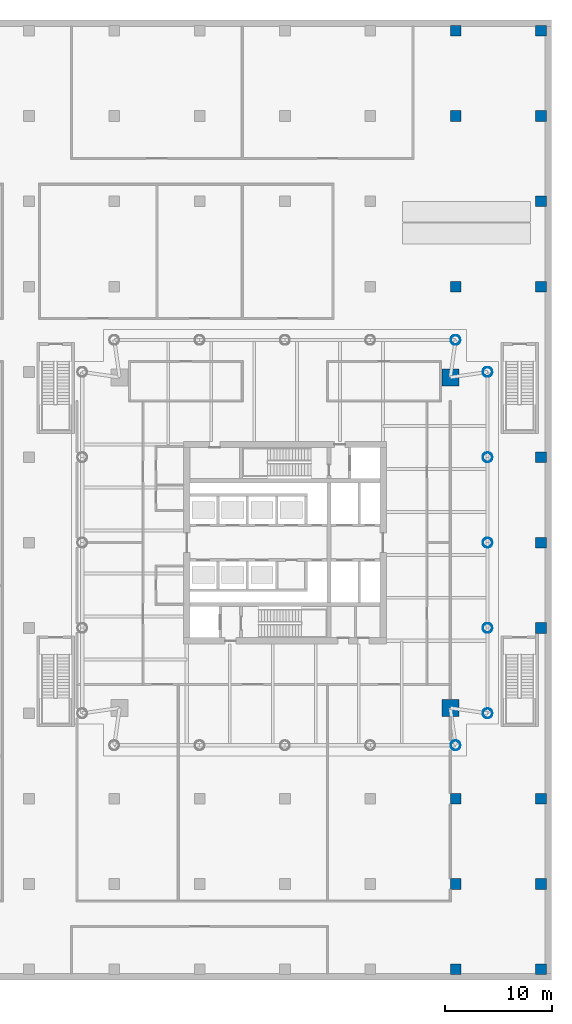
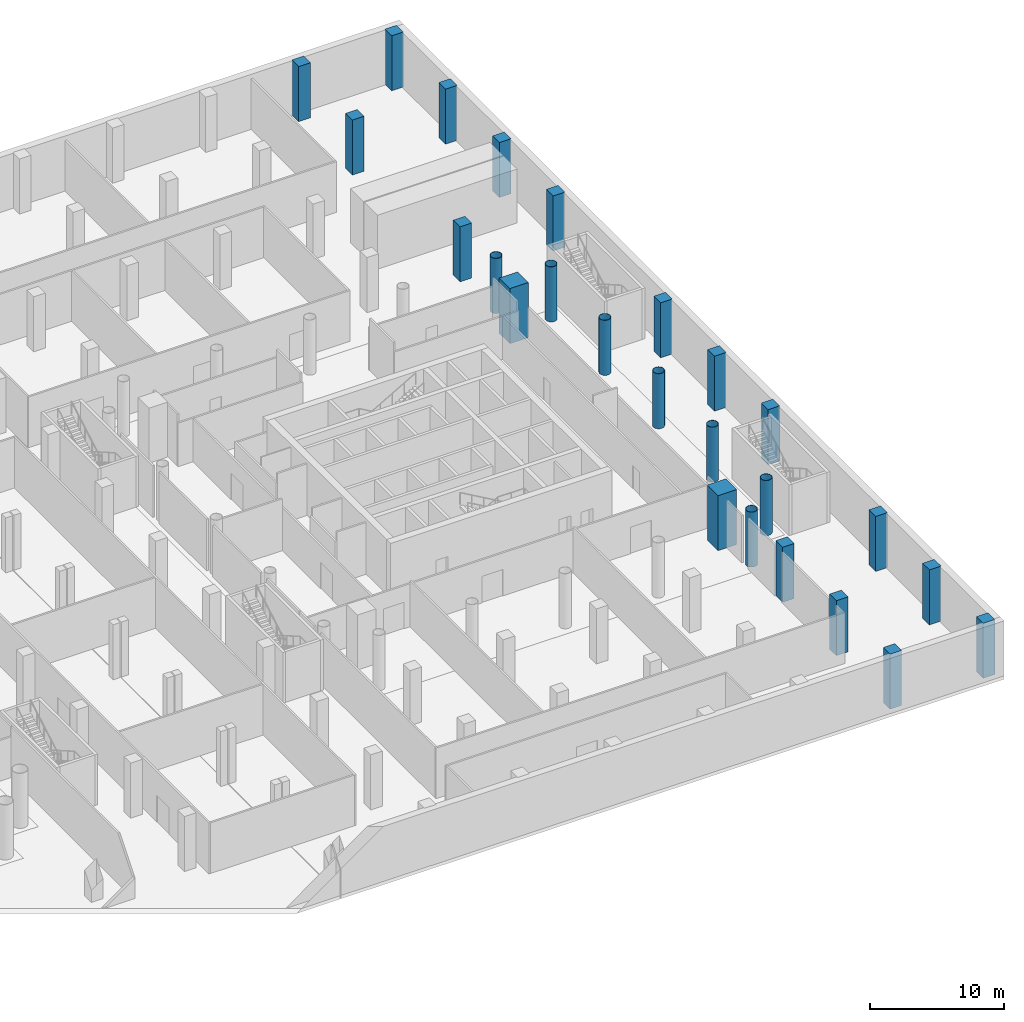
# One storey, part 4 of 22: 25 columns.
"""IFC4 building model written with IfcOpenShell, lengths in metres."""

from ifc_helpers import new_model, si_unit, direction, frame, origin, origin_2d, place, context, subcontext, project, spatial, rectangle, hollow_circle, extrude, material, material_profile, profile_set, type_object, element, save


model = new_model("IFC4")

# Units and contexts
model_context = context("Model", 3, precision=1e-05, world=origin(), true_north=direction((0.0, 1.0)))
body_context = subcontext(model_context, "Body", "Model", "MODEL_VIEW")
ifc_project = project(units=[si_unit("LENGTHUNIT", "METRE"), si_unit("AREAUNIT", "SQUARE_METRE"), si_unit("VOLUMEUNIT", "CUBIC_METRE"), si_unit("PLANEANGLEUNIT", "RADIAN"), si_unit("MASSUNIT", "GRAM", prefix="KILO")], contexts=[model_context])

# Site, building, storey
site_placement = place(None, origin())
site = spatial("IfcSite", under=ifc_project, at=site_placement, CompositionType="ELEMENT")
building_placement = place(site_placement, origin())
building = spatial("IfcBuilding", under=site, at=building_placement, Name="Ostroluk Exchange", CompositionType="ELEMENT")
storey_placement = place(building_placement, frame((0.0, 0.0, -5.0)))
storey = spatial("IfcBuildingStorey", under=building, at=storey_placement, Name="B1", CompositionType="ELEMENT", Elevation=-5.0)

# Columns
ifc_material_1 = material(Name="Concrete C50/60", Category="concrete")
ifc_material_profile_1 = material_profile(ifc_material_1, rectangle(XDim=1.60009765625, YDim=1.60009765625, at=origin_2d()), Name="RC 1600x1600")
ifc_profile_set_1 = profile_set([ifc_material_profile_1], Name="Concrete C50/60")
column_type_1 = type_object("IfcColumnType", Name="Mega column RC 1600x1600", PredefinedType="COLUMN", material=ifc_profile_set_1)
for number, where, z_axis, x_axis, name in (
    (1, (132.5, 61.5, 0.0), (0.0, 0.0, 1.0), (1.0, 0.0, 0.0), "T2 mega column NE"),
    (2, (132.5, 30.5, 0.0), (0.0, 0.0, 1.0), (1.0, 0.0, 0.0), "T2 mega column SE"),
):
    element("IfcColumn", number, at=place(storey_placement, frame(where, z_axis=z_axis, x_axis=x_axis)), inside=storey, type_object=column_type_1, Name=name, PredefinedType="COLUMN", context=body_context, shape_type="SweptSolid", body=[
        extrude(rectangle(XDim=1.60009765625, YDim=1.60009765625, at=origin_2d()), origin(), (0.0, 0.0, 1.0), 5.0),
    ])
ifc_material_2 = material(Name="Steel S460", Category="steel")
ifc_material_profile_2 = material_profile(ifc_material_2, hollow_circle(Radius=0.45703125, WallThickness=0.030029296875, at=origin_2d()), Name="CHS 914x30")
ifc_profile_set_2 = profile_set([ifc_material_profile_2], Name="Steel S460")
column_type_2 = type_object("IfcColumnType", Name="Perimeter column CHS 914x30", PredefinedType="COLUMN", material=ifc_profile_set_2)
for number, where, z_axis, x_axis, name in (
    (3, (136.0, 30.0, 0.0), (0.0, 0.0, 1.0), (1.0, 0.0, 0.0), "T2 east face column E0"),
    (4, (136.0, 62.0, 0.0), (0.0, 0.0, 1.0), (1.0, 0.0, 0.0), "T2 east face column E1"),
    (5, (136.0, 38.0, 0.0), (0.0, 0.0, 1.0), (1.0, 0.0, 0.0), "T2 east face column I1"),
    (6, (136.0, 46.0, 0.0), (0.0, 0.0, 1.0), (1.0, 0.0, 0.0), "T2 east face column I2"),
    (7, (136.0, 54.0, 0.0), (0.0, 0.0, 1.0), (1.0, 0.0, 0.0), "T2 east face column I3"),
    (8, (133.0, 65.0, 0.0), (0.0, 0.0, 1.0), (1.0, 0.0, 0.0), "T2 north face column E0"),
    (9, (133.0, 27.0, 0.0), (0.0, 0.0, 1.0), (1.0, 0.0, 0.0), "T2 south face column E1"),
):
    element("IfcColumn", number, at=place(storey_placement, frame(where, z_axis=z_axis, x_axis=x_axis)), inside=storey, type_object=column_type_2, Name=name, PredefinedType="COLUMN", context=body_context, shape_type="SweptSolid", body=[
        extrude(hollow_circle(Radius=0.45703125, WallThickness=0.030029296875, at=origin_2d()), origin(), (0.0, 0.0, 1.0), 5.0),
    ])
ifc_material_3 = material(Name="Concrete C50/60", Category="concrete")
ifc_material_profile_3 = material_profile(ifc_material_3, rectangle(XDim=1.0, YDim=1.0, at=origin_2d()), Name="RC 1000x1000")
ifc_profile_set_3 = profile_set([ifc_material_profile_3], Name="Concrete C50/60")
column_type_3 = type_object("IfcColumnType", Name="Podium column RC 1000x1000", PredefinedType="COLUMN", material=ifc_profile_set_3)
for number, where, z_axis, x_axis, name in (
    (10, (133.0, 6.0, 0.0), (0.0, 0.0, 1.0), (1.0, 0.0, 0.0), "Podium column 133/6"),
    (11, (133.0, 14.0, 0.0), (0.0, 0.0, 1.0), (1.0, 0.0, 0.0), "Podium column 133/14"),
    (12, (133.0, 22.0, 0.0), (0.0, 0.0, 1.0), (1.0, 0.0, 0.0), "Podium column 133/22"),
    (13, (133.0, 70.0, 0.0), (0.0, 0.0, 1.0), (1.0, 0.0, 0.0), "Podium column 133/70"),
    (14, (133.0, 86.0, 0.0), (0.0, 0.0, 1.0), (1.0, 0.0, 0.0), "Podium column 133/86"),
    (15, (133.0, 94.0, 0.0), (0.0, 0.0, 1.0), (1.0, 0.0, 0.0), "Podium column 133/94"),
    (16, (141.0, 6.0, 0.0), (0.0, 0.0, 1.0), (1.0, 0.0, 0.0), "Podium column 141/6"),
    (17, (141.0, 14.0, 0.0), (0.0, 0.0, 1.0), (1.0, 0.0, 0.0), "Podium column 141/14"),
    (18, (141.0, 22.0, 0.0), (0.0, 0.0, 1.0), (1.0, 0.0, 0.0), "Podium column 141/22"),
    (19, (141.0, 38.0, 0.0), (0.0, 0.0, 1.0), (1.0, 0.0, 0.0), "Podium column 141/38"),
    (20, (141.0, 46.0, 0.0), (0.0, 0.0, 1.0), (1.0, 0.0, 0.0), "Podium column 141/46"),
    (21, (141.0, 54.0, 0.0), (0.0, 0.0, 1.0), (1.0, 0.0, 0.0), "Podium column 141/54"),
    (22, (141.0, 70.0, 0.0), (0.0, 0.0, 1.0), (1.0, 0.0, 0.0), "Podium column 141/70"),
    (23, (141.0, 78.0, 0.0), (0.0, 0.0, 1.0), (1.0, 0.0, 0.0), "Podium column 141/78"),
    (24, (141.0, 86.0, 0.0), (0.0, 0.0, 1.0), (1.0, 0.0, 0.0), "Podium column 141/86"),
    (25, (141.0, 94.0, 0.0), (0.0, 0.0, 1.0), (1.0, 0.0, 0.0), "Podium column 141/94"),
):
    element("IfcColumn", number, at=place(storey_placement, frame(where, z_axis=z_axis, x_axis=x_axis)), inside=storey, type_object=column_type_3, Name=name, PredefinedType="COLUMN", context=body_context, shape_type="SweptSolid", body=[
        extrude(rectangle(XDim=1.0, YDim=1.0, at=origin_2d()), origin(), (0.0, 0.0, 1.0), 5.0),
    ])

save(model, "model.ifc")
